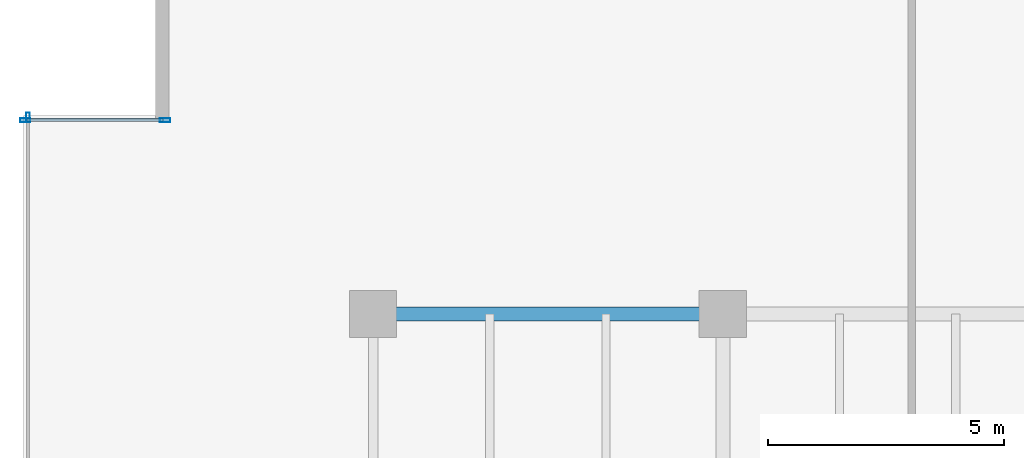
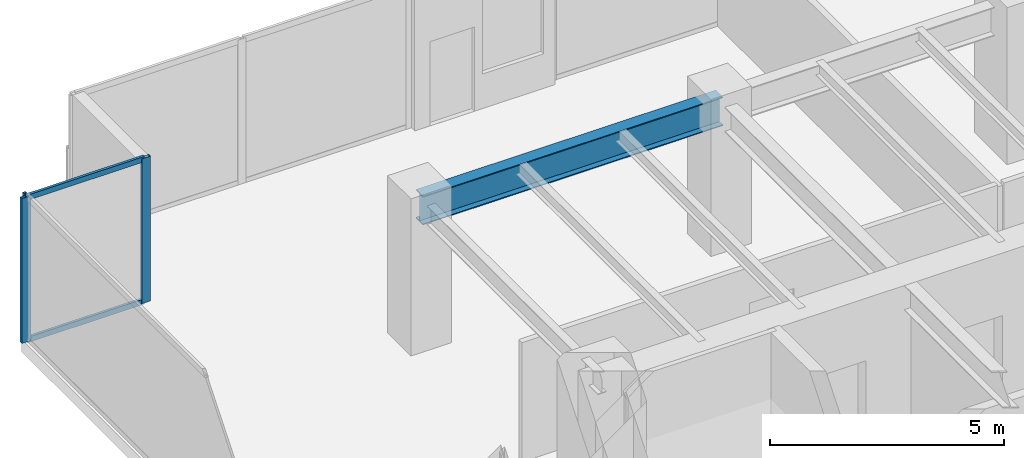
# One storey, part 13 of 31: 5 members, 1 beam, 2 elements without a shape of their own.
"""IFC4 building model written with IfcOpenShell, lengths in metres."""

import ifcopenshell
import ifcopenshell.guid

model = None  # the IFC model being written
_history = None  # IfcOwnerHistory: only IFC2X3 demands one
_inside = {}  # id of a spatial element -> (the spatial element, [elements in it])
_under = {}  # id of a project, library or spatial element -> (it, [spatial elements below it])
_declared = {}  # id of a project -> (the project, [libraries it declares])
_typed = {}  # id of a type object -> (the type object, [elements of that type])
_made_of = {}  # id of a material, layer set ... -> (it, [elements and type objects made of it])


def new_model(schema):
    """Start an empty IFC model of exactly this schema.

    Asked for "IFC4X3", IfcOpenShell would pick the latest addendum, in which some entities
    have other attributes; the version numbers below select the first issue.
    IFC2X3 requires an IfcOwnerHistory on every rooted entity: one is made here for all.
    """
    global model, _history
    if schema == "IFC4X3":
        model = ifcopenshell.file(schema_version=(4, 3, 0, 0))
    else:
        model = ifcopenshell.file(schema=schema)
    _inside.clear()
    _under.clear()
    _declared.clear()
    _typed.clear()
    _made_of.clear()
    _history = None
    if model.schema == "IFC2X3":
        org = make("IfcOrganization", Name="unknown")
        user = make(
            "IfcPersonAndOrganization",
            ThePerson=make("IfcPerson", FamilyName="unknown"),
            TheOrganization=org,
        )
        app = make(
            "IfcApplication",
            ApplicationDeveloper=org,
            Version="unknown",
            ApplicationFullName="unknown",
            ApplicationIdentifier="unknown",
        )
        _history = make(
            "IfcOwnerHistory",
            OwningUser=user,
            OwningApplication=app,
            ChangeAction="ADDED",
            CreationDate=0,
        )
    return model


def make(cls, **values):
    """One entity of the class cls with the attributes given. An attribute that is None is left unset."""
    return model.create_entity(
        cls, **{name: value for name, value in values.items() if value is not None}
    )


def rooted(cls, **values):
    """An entity with a GlobalId (a new one), such as an element, a storey or a relation."""
    return make(cls, GlobalId=ifcopenshell.guid.new(), OwnerHistory=_history, **values)


def si_unit(unit_type, name, prefix=None):
    """IfcSIUnit, for example si_unit("LENGTHUNIT", "METRE", prefix="MILLI")."""
    return make("IfcSIUnit", UnitType=unit_type, Prefix=prefix, Name=name)


def assignment(units):
    """IfcUnitAssignment: the units of a project."""
    return None if units is None else make("IfcUnitAssignment", Units=units)


def point(xyz):
    """IfcCartesianPoint."""
    return None if xyz is None else make("IfcCartesianPoint", Coordinates=xyz)


def direction(xyz):
    """IfcDirection."""
    return None if xyz is None else make("IfcDirection", DirectionRatios=xyz)


def frame(location, z_axis=None, x_axis=None):
    """IfcAxis2Placement3D, a coordinate frame: its origin and axes. An axis left out is left unset."""
    return make(
        "IfcAxis2Placement3D",
        Location=point(location),
        Axis=direction(z_axis),
        RefDirection=direction(x_axis),
    )


def frame_2d(location, x_axis=None):
    """IfcAxis2Placement2D, a coordinate frame in the plane: its origin and x axis."""
    return make(
        "IfcAxis2Placement2D", Location=point(location), RefDirection=direction(x_axis)
    )


def origin():
    """The frame at (0, 0, 0) with its axes left unset."""
    return frame((0.0, 0.0, 0.0))


def origin_2d():
    """The frame at (0, 0) in the plane with its x axis left unset."""
    return frame_2d((0.0, 0.0))


def place(relative_to, where):
    """IfcLocalPlacement: puts the frame where relative to a parent placement (None: the world)."""
    return make(
        "IfcLocalPlacement", PlacementRelTo=relative_to, RelativePlacement=where
    )


def context(
    kind, dimensions, precision=None, world=None, true_north=None, identifier=None
):
    """IfcGeometricRepresentationContext, for example the 3D "Model" context."""
    return make(
        "IfcGeometricRepresentationContext",
        ContextIdentifier=identifier,
        ContextType=kind,
        CoordinateSpaceDimension=dimensions,
        Precision=precision,
        WorldCoordinateSystem=world,
        TrueNorth=true_north,
    )


def subcontext(parent, identifier, kind, view, scale=None):
    """IfcGeometricRepresentationSubContext, for example "Body" below "Model"."""
    return make(
        "IfcGeometricRepresentationSubContext",
        ContextIdentifier=identifier,
        ContextType=kind,
        ParentContext=parent,
        TargetScale=scale,
        TargetView=view,
    )


def project(units=None, contexts=None):
    """IfcProject with its units and contexts."""
    return rooted(
        "IfcProject",
        Name="project",
        RepresentationContexts=contexts,
        UnitsInContext=assignment(units),
    )


def spatial(cls, under=None, at=None, **own):
    """A site, building, storey or space (cls), placed at a placement, below another one or the project."""
    s = rooted(cls, ObjectPlacement=at, **own)
    if under is not None:
        _under.setdefault(under.id(), (under, []))[1].append(s)
    return s


def profile(cls, at=None, kind="AREA", **sizes):
    """A parametric profile (cls). Its sizes go by their IFC names, for example OverallWidth=200.0."""
    return make(cls, ProfileType=kind, Position=at, **sizes)


def hollow_rectangle(**sizes):
    """IfcRectangleHollowProfileDef."""
    return profile("IfcRectangleHollowProfileDef", **sizes)


def i_section(**sizes):
    """IfcIShapeProfileDef."""
    return profile("IfcIShapeProfileDef", **sizes)


def extrude(swept, where, along, depth):
    """IfcExtrudedAreaSolid: the profile swept, set in the frame where, extruded along a direction by depth."""
    return make(
        "IfcExtrudedAreaSolid",
        SweptArea=swept,
        Position=where,
        ExtrudedDirection=direction(along),
        Depth=depth,
    )


def shape(context_of_items, identifier, shape_type, items):
    """IfcShapeRepresentation: the items that make up one representation, for example the "Body"."""
    return make(
        "IfcShapeRepresentation",
        ContextOfItems=context_of_items,
        RepresentationIdentifier=identifier,
        RepresentationType=shape_type,
        Items=items,
    )


def source(mapping_origin, context_of_items, identifier, shape_type, items):
    """IfcRepresentationMap: a shape defined once, which mapped items show again and again."""
    return make(
        "IfcRepresentationMap",
        MappingOrigin=mapping_origin,
        MappedRepresentation=shape(context_of_items, identifier, shape_type, items),
    )


def transform(
    local_origin,
    x_axis=None,
    y_axis=None,
    z_axis=None,
    scale=None,
    scale2=None,
    scale3=None,
    uniform=True,
):
    """IfcCartesianTransformationOperator3D, or its non-uniform kind. x_axis, y_axis, z_axis: its Axis1, 2, 3."""
    if uniform:
        return make(
            "IfcCartesianTransformationOperator3D",
            Axis1=direction(x_axis),
            Axis2=direction(y_axis),
            LocalOrigin=point(local_origin),
            Scale=scale,
            Axis3=direction(z_axis),
        )
    return make(
        "IfcCartesianTransformationOperator3DnonUniform",
        Axis1=direction(x_axis),
        Axis2=direction(y_axis),
        LocalOrigin=point(local_origin),
        Scale=scale,
        Axis3=direction(z_axis),
        Scale2=scale2,
        Scale3=scale3,
    )


def mapped(mapping_source, mapping_target):
    """IfcMappedItem: shows the shape of a source again, moved by a transform."""
    return make(
        "IfcMappedItem", MappingSource=mapping_source, MappingTarget=mapping_target
    )


def material(Name=None, Category=None):
    """IfcMaterial."""
    return make("IfcMaterial", Name=Name, Category=Category)


def layer(
    of_material, thickness, ventilated=None, Name=None, Category=None, Priority=None
):
    """IfcMaterialLayer: one layer of a wall or slab, of a material (None: an air gap)."""
    return make(
        "IfcMaterialLayer",
        Material=of_material,
        LayerThickness=thickness,
        IsVentilated=ventilated,
        Name=Name,
        Category=Category,
        Priority=Priority,
    )


def layer_set(layers, Name=None):
    """IfcMaterialLayerSet."""
    return make("IfcMaterialLayerSet", MaterialLayers=layers, LayerSetName=Name)


def material_profile(
    of_material, cross_section, Name=None, Category=None, Priority=None
):
    """IfcMaterialProfile: a cross section and its material."""
    return make(
        "IfcMaterialProfile",
        Name=Name,
        Material=of_material,
        Profile=cross_section,
        Priority=Priority,
        Category=Category,
    )


def profile_set(profiles, Name=None, composite=None):
    """IfcMaterialProfileSet."""
    return make(
        "IfcMaterialProfileSet",
        Name=Name,
        MaterialProfiles=profiles,
        CompositeProfile=composite,
    )


def made_of(thing, what):
    """Note that an element or type object is made of a material, layer set ...; save() writes the relation."""
    if what is not None:
        _made_of.setdefault(what.id(), (what, []))[1].append(thing)
    return thing


def type_object(cls, material=None, **own):
    """A type object (cls), such as IfcWallType, which elements share."""
    return made_of(rooted(cls, **own), material)


def type_shapes(of_type, sources):
    """Give a type object the sources (RepresentationMaps) that its elements show as mapped items."""
    of_type.RepresentationMaps = sources


def element(
    cls,
    number,
    at=None,
    inside=None,
    cuts=None,
    type_object=None,
    material=None,
    context=None,
    identifier="Body",
    shape_type=None,
    held_by="IfcProductDefinitionShape",
    body=None,
    shapes=None,
    **own,
):
    """One element of the class cls, such as IfcWall. Its Tag is "e" and its number.

    at: its placement. inside: the storey or other place that contains it. cuts: it is an
    opening in that element (IfcRelVoidsElement). A single representation is given by context,
    identifier, shape_type and body (its items); several are given by shapes. held_by: the class
    of the entity that holds the representations. save() writes the other relations.
    """
    e = rooted(cls, Tag="e%d" % number, ObjectPlacement=at, **own)
    if body is not None:
        shapes = [shape(context, identifier, shape_type, body)]
    if shapes is not None:
        e.Representation = make(held_by, Representations=shapes)
    if inside is not None:
        _inside.setdefault(inside.id(), (inside, []))[1].append(e)
    if cuts is not None:
        rooted(
            "IfcRelVoidsElement", RelatingBuildingElement=cuts, RelatedOpeningElement=e
        )
    if type_object is not None:
        _typed.setdefault(type_object.id(), (type_object, []))[1].append(e)
    return made_of(e, material)


def aggregate(whole, parts):
    """IfcRelAggregates: a whole, such as a stair, and the parts it consists of."""
    return rooted("IfcRelAggregates", RelatingObject=whole, RelatedObjects=parts)


def save(model, path):
    """Write the relations noted so far, then the file.

    IfcRelAggregates (storeys below a building ...), IfcRelContainedInSpatialStructure (elements
    in a storey), IfcRelDefinesByType, IfcRelAssociatesMaterial and IfcRelDeclares: one each for
    every whole, place, type object, material and project.
    """
    for whole, parts in _under.values():
        aggregate(whole, parts)
    for where, things in _inside.values():
        rooted(
            "IfcRelContainedInSpatialStructure",
            RelatedElements=things,
            RelatingStructure=where,
        )
    for kind, things in _typed.values():
        rooted("IfcRelDefinesByType", RelatedObjects=things, RelatingType=kind)
    for what, things in _made_of.values():
        rooted("IfcRelAssociatesMaterial", RelatedObjects=things, RelatingMaterial=what)
    for by, libraries in _declared.values():
        rooted("IfcRelDeclares", RelatingContext=by, RelatedDefinitions=libraries)
    model.write(path)


model = new_model("IFC4")

# Units and contexts
model_context = context("Model", 3, precision=1e-05, world=origin(), true_north=direction((0.0, 1.0)))
body_context = subcontext(model_context, "Body", "Model", "MODEL_VIEW")
ifc_project = project(units=[si_unit("LENGTHUNIT", "METRE"), si_unit("AREAUNIT", "SQUARE_METRE"), si_unit("VOLUMEUNIT", "CUBIC_METRE"), si_unit("PLANEANGLEUNIT", "RADIAN"), si_unit("MASSUNIT", "GRAM", prefix="KILO")], contexts=[model_context])

# Site, building, storey
site_placement = place(None, origin())
site = spatial("IfcSite", under=ifc_project, at=site_placement, CompositionType="ELEMENT")
building_placement = place(site_placement, origin())
building = spatial("IfcBuilding", under=site, at=building_placement, Name="Haelvirn Gate Laboratories", CompositionType="ELEMENT")
storey_placement = place(building_placement, frame((0.0, 0.0, 62.10009765625)))
storey = spatial("IfcBuildingStorey", under=building, at=storey_placement, Name="L15", CompositionType="ELEMENT", Elevation=62.10009765625)

# Beam
ifc_material_1 = material(Name="Steel SM355", Category="steel")
ifc_material_profile_1 = material_profile(ifc_material_1, i_section(OverallWidth=0.300048828125, OverallDepth=0.75, WebThickness=0.013916015625, FlangeThickness=0.02392578125, at=origin_2d()), Name="H-750x300x14x24")
ifc_profile_set_1 = profile_set([ifc_material_profile_1], Name="Steel SM355")
beam_type = type_object("IfcBeamType", Name="BM-G-750", PredefinedType="BEAM", material=ifc_profile_set_1)
shared_shape_1 = source(origin(), body_context, "Body", "SweptSolid", [
    extrude(i_section(OverallWidth=0.300048828125, OverallDepth=0.75, WebThickness=0.013916015625, FlangeThickness=0.02392578125, at=origin_2d()), origin(), (0.0, 0.0, 1.0), 7.400146484375),
])
type_shapes(beam_type, [shared_shape_1])
beam_placement = place(storey_placement, frame((7.39990234375, 41.60009765625, 3.40478515625), z_axis=(1.0, 0.0, 0.0), x_axis=(0.0, 1.0, 0.0)))
element("IfcBeam", 1, at=beam_placement, inside=storey, type_object=beam_type, Name="L15 Primary Girder Y41.6 (7.4-14.8)", PredefinedType="BEAM", context=body_context, shape_type="MappedRepresentation", body=[
    mapped(shared_shape_1, transform((0.0, 0.0, 0.0), scale=1.0)),
])

# Curtain wall, members
ifc_material_2 = material(Name="Anodised bronze unitised aluminium & triple low-E glass", Category="aluminium")
ifc_layer_1 = layer(ifc_material_2, 0.181884765625, Name="CW-SYS-5")
ifc_layer_set_1 = layer_set([ifc_layer_1], Name="Anodised bronze unitised aluminium & triple low-E glass")
curtain_wall_type_1 = type_object("IfcCurtainWallType", Name="CW-SYS-5", PredefinedType="NOTDEFINED", material=ifc_layer_set_1)
curtain_wall_1_placement = place(storey_placement, origin())
curtain_wall_1 = element("IfcCurtainWall", 2, at=curtain_wall_1_placement, inside=storey, type_object=curtain_wall_type_1, Name="L15 Unitised Curtain Wall CW-L15-P0-E16-1", PredefinedType="NOTDEFINED")
ifc_material_3 = material(Name="Extruded aluminium 6063-T6 (anodised bronze)", Category="aluminium")
ifc_material_profile_2 = material_profile(ifc_material_3, hollow_rectangle(XDim=0.06494140625, YDim=0.139892578125, WallThickness=0.00390625, at=origin_2d()), Name="CWT-140x65x4")
ifc_profile_set_2 = profile_set([ifc_material_profile_2], Name="Extruded aluminium 6063-T6 (anodised bronze)")
member_type_1 = type_object("IfcMemberType", Name="CWT-T140", PredefinedType="USERDEFINED", material=ifc_profile_set_2)
shared_shape_2 = source(origin(), body_context, "Body", "SweptSolid", [
    extrude(hollow_rectangle(XDim=0.06494140625, YDim=0.139892578125, WallThickness=0.00390625, at=origin_2d()), origin(), (0.0, 0.0, 1.0), 2.8798828125),
])
type_shapes(member_type_1, [shared_shape_2])
member_1_placement = place(storey_placement, frame((0.080078125, 45.699951171875, 0.032470703125), z_axis=(1.0, 0.0, 0.0), x_axis=(0.0, 1.0, 0.0)))
member_1 = element("IfcMember", 3, at=member_1_placement, type_object=member_type_1, Name="CW5 transom 1.1", ObjectType="TRANSOM", PredefinedType="USERDEFINED", context=body_context, shape_type="MappedRepresentation", body=[
    mapped(shared_shape_2, transform((0.0, 0.0, 0.0), scale=1.0)),
])
member_2_placement = place(storey_placement, frame((0.080078125, 45.699951171875, 3.747314453125), z_axis=(1.0, 0.0, 0.0), x_axis=(0.0, 1.0, 0.0)))
member_2 = element("IfcMember", 4, at=member_2_placement, type_object=member_type_1, Name="CW5 transom 1.2", ObjectType="TRANSOM", PredefinedType="USERDEFINED", context=body_context, shape_type="MappedRepresentation", body=[
    mapped(shared_shape_2, transform((0.0, 0.0, 0.0), scale=1.0)),
])

# Curtain wall, member
ifc_layer_2 = layer(ifc_material_2, 0.18408203125, Name="CW-SYS-2")
ifc_layer_set_2 = layer_set([ifc_layer_2], Name="Anodised bronze unitised aluminium & triple low-E glass")
curtain_wall_type_2 = type_object("IfcCurtainWallType", Name="CW-SYS-2", PredefinedType="NOTDEFINED", material=ifc_layer_set_2)
curtain_wall_2_placement = place(storey_placement, origin())
curtain_wall_2 = element("IfcCurtainWall", 5, at=curtain_wall_2_placement, inside=storey, type_object=curtain_wall_type_2, Name="L15 Unitised Curtain Wall CW-L15-P0-E17", PredefinedType="NOTDEFINED")
ifc_material_profile_3 = material_profile(ifc_material_3, hollow_rectangle(XDim=0.074951171875, YDim=0.199951171875, WallThickness=0.0048828125, at=origin_2d()), Name="CWM-200x75x5")
ifc_profile_set_3 = profile_set([ifc_material_profile_3], Name="Extruded aluminium 6063-T6 (anodised bronze)")
member_type_2 = type_object("IfcMemberType", Name="CWM-T200", PredefinedType="MULLION", material=ifc_profile_set_3)
shared_shape_3 = source(origin(), body_context, "Body", "SweptSolid", [
    extrude(hollow_rectangle(XDim=0.074951171875, YDim=0.199951171875, WallThickness=0.0048828125, at=origin_2d()), origin(), (0.0, 0.0, 1.0), 3.77978515625),
])
type_shapes(member_type_2, [shared_shape_3])
member_3_placement = place(storey_placement, frame((0.10009765625, 45.762451171875, 0.0), z_axis=(0.0, 0.0, 1.0), x_axis=(1.0, 0.0, 0.0)))
member_3 = element("IfcMember", 6, at=member_3_placement, type_object=member_type_2, Name="CW2 mullion 1", PredefinedType="MULLION", context=body_context, shape_type="MappedRepresentation", body=[
    mapped(shared_shape_3, transform((0.0, 0.0, 0.0), scale=1.0)),
])
aggregate(curtain_wall_2, [member_3])

# Member
ifc_material_profile_4 = material_profile(ifc_material_3, hollow_rectangle(XDim=0.080078125, YDim=0.219970703125, WallThickness=0.006103515625, at=origin_2d()), Name="CWM-220x80x6")
ifc_profile_set_4 = profile_set([ifc_material_profile_4], Name="Extruded aluminium 6063-T6 (anodised bronze)")
member_type_3 = type_object("IfcMemberType", Name="CWM-T220", PredefinedType="MULLION", material=ifc_profile_set_4)
shared_shape_4 = source(origin(), body_context, "Body", "SweptSolid", [
    extrude(hollow_rectangle(XDim=0.080078125, YDim=0.219970703125, WallThickness=0.006103515625, at=origin_2d()), origin(), (0.0, 0.0, 1.0), 3.77978515625),
])
type_shapes(member_type_3, [shared_shape_4])
member_4_placement = place(storey_placement, frame((0.0400390625, 45.699951171875, 0.0), z_axis=(0.0, 0.0, 1.0), x_axis=(0.0, 1.0, 0.0)))
member_4 = element("IfcMember", 7, at=member_4_placement, type_object=member_type_3, Name="CW5 mullion 1", PredefinedType="MULLION", context=body_context, shape_type="MappedRepresentation", body=[
    mapped(shared_shape_4, transform((0.0, 0.0, 0.0), scale=1.0)),
])

member_5_placement = place(storey_placement, frame((3.0, 45.699951171875, 0.0), z_axis=(0.0, 0.0, 1.0), x_axis=(0.0, 1.0, 0.0)))
member_5 = element("IfcMember", 8, at=member_5_placement, type_object=member_type_3, Name="CW5 mullion 2", PredefinedType="MULLION", context=body_context, shape_type="MappedRepresentation", body=[
    mapped(shared_shape_4, transform((0.0, 0.0, 0.0), scale=1.0)),
])

aggregate(curtain_wall_1, [member_4, member_5, member_1, member_2])

save(model, "model.ifc")
